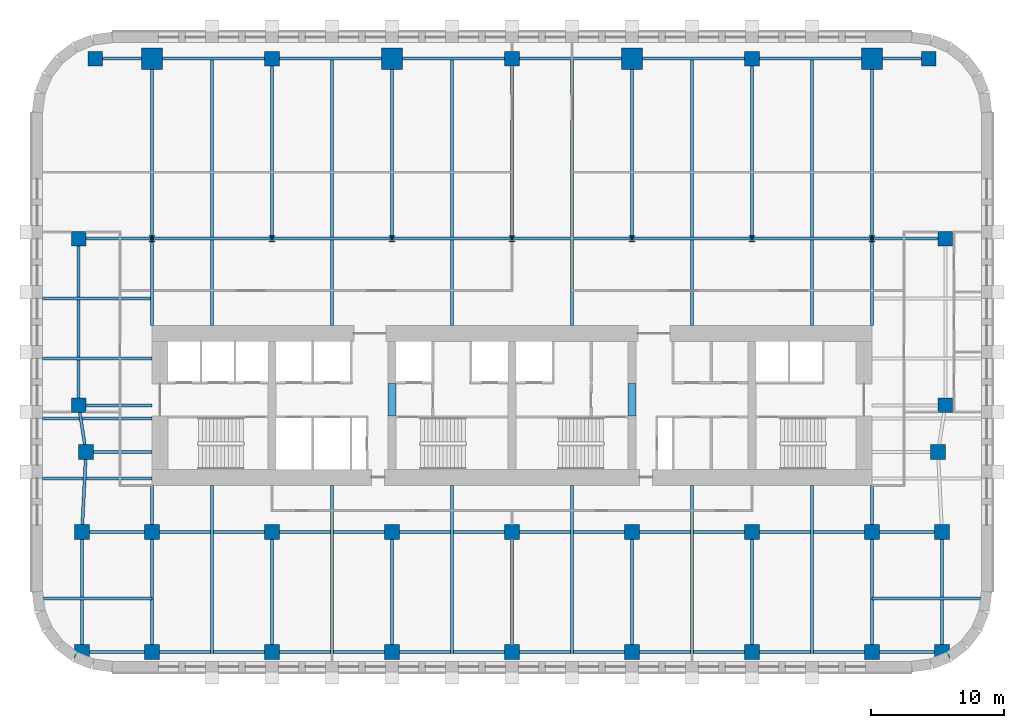
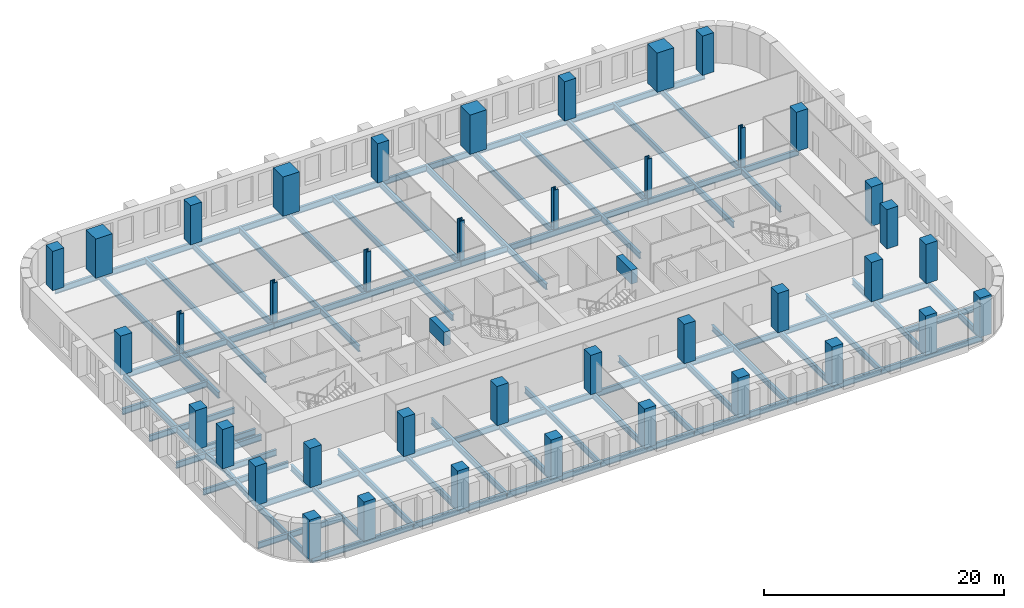
# One storey, part 1 of 11: 59 beams, 40 columns.
"""IFC4 building model written with IfcOpenShell, lengths in metres."""

from ifc_helpers import new_model, si_unit, direction, frame, origin, origin_2d, place, context, subcontext, project, spatial, rectangle, i_section, extrude, material, material_profile, profile_set, type_object, element, save


model = new_model("IFC4")

# Units and contexts
model_context = context("Model", 3, precision=1e-05, world=origin(), true_north=direction((0.0, 1.0)))
body_context = subcontext(model_context, "Body", "Model", "MODEL_VIEW")
ifc_project = project(units=[si_unit("LENGTHUNIT", "METRE"), si_unit("AREAUNIT", "SQUARE_METRE"), si_unit("VOLUMEUNIT", "CUBIC_METRE"), si_unit("PLANEANGLEUNIT", "RADIAN"), si_unit("MASSUNIT", "GRAM", prefix="KILO")], contexts=[model_context])

# Site, building, storey
site_placement = place(None, origin())
site = spatial("IfcSite", under=ifc_project, at=site_placement, CompositionType="ELEMENT")
building_placement = place(site_placement, origin())
building = spatial("IfcBuilding", under=site, at=building_placement, Name="Zellij Exchange Tower", CompositionType="ELEMENT")
storey_placement = place(building_placement, frame((0.0, 0.0, 80.5)))
storey = spatial("IfcBuildingStorey", under=building, at=storey_placement, Name="L16", CompositionType="ELEMENT", Elevation=80.5)

# Columns
ifc_material_1 = material(Name="Concrete C70/85", Category="concrete")
ifc_material_profile_1 = material_profile(ifc_material_1, rectangle(XDim=1.10009765625, YDim=1.10009765625, at=origin_2d()), Name="STR-COLUMN RC1100x1100 C70/85")
ifc_profile_set_1 = profile_set([ifc_material_profile_1], Name="Concrete C70/85")
column_type_1 = type_object("IfcColumnType", Name="STR-COLUMN RC1100x1100 C70/85", PredefinedType="COLUMN", material=ifc_profile_set_1)
for number, where, z_axis, x_axis, name in (
    (1, (-32.25, -26.5, 0.0), (0.0, 0.0, 1.0), (1.0, 0.0, 0.0), "C11"),
    (2, (-27.0, -26.5, 0.0), (0.0, 0.0, 1.0), (1.0, 0.0, 0.0), "C11"),
    (3, (-18.0, -26.5, 0.0), (0.0, 0.0, 1.0), (1.0, 0.0, 0.0), "C11"),
    (4, (-9.0, -26.5, 0.0), (0.0, 0.0, 1.0), (1.0, 0.0, 0.0), "C11"),
    (5, (0.0, -26.5, 0.0), (0.0, 0.0, 1.0), (1.0, 0.0, 0.0), "C11"),
    (6, (9.0, -26.5, 0.0), (0.0, 0.0, 1.0), (1.0, 0.0, 0.0), "C11"),
    (7, (18.0, -26.5, 0.0), (0.0, 0.0, 1.0), (1.0, 0.0, 0.0), "C11"),
    (8, (27.0, -26.5, 0.0), (0.0, 0.0, 1.0), (1.0, 0.0, 0.0), "C11"),
    (9, (32.25, -26.5, 0.0), (0.0, 0.0, 1.0), (1.0, 0.0, 0.0), "C11"),
    (10, (-32.25, -17.5, 0.0), (0.0, 0.0, 1.0), (1.0, 0.0, 0.0), "C11"),
    (11, (-27.0, -17.5, 0.0), (0.0, 0.0, 1.0), (1.0, 0.0, 0.0), "C11"),
    (12, (-18.0, -17.5, 0.0), (0.0, 0.0, 1.0), (1.0, 0.0, 0.0), "C11"),
    (13, (-9.0, -17.5, 0.0), (0.0, 0.0, 1.0), (1.0, 0.0, 0.0), "C11"),
    (14, (0.0, -17.5, 0.0), (0.0, 0.0, 1.0), (1.0, 0.0, 0.0), "C11"),
    (15, (9.0, -17.5, 0.0), (0.0, 0.0, 1.0), (1.0, 0.0, 0.0), "C11"),
    (16, (18.0, -17.5, 0.0), (0.0, 0.0, 1.0), (1.0, 0.0, 0.0), "C11"),
    (17, (27.0, -17.5, 0.0), (0.0, 0.0, 1.0), (1.0, 0.0, 0.0), "C11"),
    (18, (32.25, -17.5, 0.0), (0.0, 0.0, 1.0), (1.0, 0.0, 0.0), "C11"),
    (19, (-31.949951171875, -11.5, 0.0), (0.0, 0.0, 1.0), (1.0, 0.0, 0.0), "C11"),
    (20, (31.949951171875, -11.5, 0.0), (0.0, 0.0, 1.0), (1.0, 0.0, 0.0), "C11"),
    (21, (-32.5, -8.0, 0.0), (0.0, 0.0, 1.0), (1.0, 0.0, 0.0), "C11"),
    (22, (32.5, -8.0, 0.0), (0.0, 0.0, 1.0), (1.0, 0.0, 0.0), "C11"),
    (23, (-32.5, 4.5, 0.0), (0.0, 0.0, 1.0), (1.0, 0.0, 0.0), "C11"),
    (24, (32.5, 4.5, 0.0), (0.0, 0.0, 1.0), (1.0, 0.0, 0.0), "C11"),
    (25, (-31.25, 18.0, 0.0), (0.0, 0.0, 1.0), (1.0, 0.0, 0.0), "C11"),
    (26, (-18.0, 18.0, 0.0), (0.0, 0.0, 1.0), (1.0, 0.0, 0.0), "C11"),
    (27, (0.0, 18.0, 0.0), (0.0, 0.0, 1.0), (1.0, 0.0, 0.0), "C11"),
    (28, (18.0, 18.0, 0.0), (0.0, 0.0, 1.0), (1.0, 0.0, 0.0), "C11"),
    (29, (31.25, 18.0, 0.0), (0.0, 0.0, 1.0), (1.0, 0.0, 0.0), "C11"),
):
    element("IfcColumn", number, at=place(storey_placement, frame(where, z_axis=z_axis, x_axis=x_axis)), inside=storey, type_object=column_type_1, Name=name, PredefinedType="COLUMN", context=body_context, shape_type="SweptSolid", body=[
        extrude(rectangle(XDim=1.10009765625, YDim=1.10009765625, at=origin_2d()), origin(), (0.0, 0.0, 1.0), 4.0),
    ])
ifc_material_2 = material(Name="Structural steel ASTM A913 Gr 65", Category="steel")
ifc_material_profile_2 = material_profile(ifc_material_2, i_section(OverallWidth=0.431884765625, OverallDepth=0.497802734375, WebThickness=0.0556640625, FlangeThickness=0.0888671875, at=origin_2d()), Name="W14x500")
ifc_profile_set_2 = profile_set([ifc_material_profile_2], Name="Structural steel ASTM A913 Gr 65")
column_type_2 = type_object("IfcColumnType", Name="STR-COLUMN W14x500", PredefinedType="COLUMN", material=ifc_profile_set_2)
for number, where, z_axis, x_axis, name in (
    (30, (-27.0, 4.5, 0.0), (0.0, 0.0, 1.0), (1.0, 0.0, 0.0), "C5"),
    (31, (-18.0, 4.5, 0.0), (0.0, 0.0, 1.0), (1.0, 0.0, 0.0), "C5"),
    (32, (-9.0, 4.5, 0.0), (0.0, 0.0, 1.0), (1.0, 0.0, 0.0), "C5"),
    (33, (0.0, 4.5, 0.0), (0.0, 0.0, 1.0), (1.0, 0.0, 0.0), "C5"),
    (34, (9.0, 4.5, 0.0), (0.0, 0.0, 1.0), (1.0, 0.0, 0.0), "C5"),
    (35, (18.0, 4.5, 0.0), (0.0, 0.0, 1.0), (1.0, 0.0, 0.0), "C5"),
    (36, (27.0, 4.5, 0.0), (0.0, 0.0, 1.0), (1.0, 0.0, 0.0), "C5"),
):
    element("IfcColumn", number, at=place(storey_placement, frame(where, z_axis=z_axis, x_axis=x_axis)), inside=storey, type_object=column_type_2, Name=name, PredefinedType="COLUMN", context=body_context, shape_type="SweptSolid", body=[
        extrude(i_section(OverallWidth=0.431884765625, OverallDepth=0.497802734375, WebThickness=0.0556640625, FlangeThickness=0.0888671875, at=origin_2d()), origin(), (0.0, 0.0, 1.0), 4.0),
    ])
ifc_material_profile_3 = material_profile(ifc_material_1, rectangle(XDim=1.60009765625, YDim=1.60009765625, at=origin_2d()), Name="STR-MEGA COLUMN RC1600x1600 C70/85")
ifc_profile_set_3 = profile_set([ifc_material_profile_3], Name="Concrete C70/85")
column_type_3 = type_object("IfcColumnType", Name="STR-MEGA COLUMN RC1600x1600 C70/85", PredefinedType="COLUMN", material=ifc_profile_set_3)
for number, where, z_axis, x_axis, name in (
    (37, (-27.0, 18.0, 0.0), (0.0, 0.0, 1.0), (1.0, 0.0, 0.0), "MC6"),
    (38, (-9.0, 18.0, 0.0), (0.0, 0.0, 1.0), (1.0, 0.0, 0.0), "MC6"),
    (39, (9.0, 18.0, 0.0), (0.0, 0.0, 1.0), (1.0, 0.0, 0.0), "MC6"),
    (40, (27.0, 18.0, 0.0), (0.0, 0.0, 1.0), (1.0, 0.0, 0.0), "MC6"),
):
    element("IfcColumn", number, at=place(storey_placement, frame(where, z_axis=z_axis, x_axis=x_axis)), inside=storey, type_object=column_type_3, Name=name, PredefinedType="COLUMN", context=body_context, shape_type="SweptSolid", body=[
        extrude(rectangle(XDim=1.60009765625, YDim=1.60009765625, at=origin_2d()), origin(), (0.0, 0.0, 1.0), 4.0),
    ])

# Beams
ifc_material_profile_4 = material_profile(ifc_material_1, rectangle(XDim=0.60009765625, YDim=1.39990234375, at=origin_2d()), Name="CORE-CB 600x1400 C70/85")
ifc_profile_set_4 = profile_set([ifc_material_profile_4], Name="Concrete C70/85")
beam_type_1 = type_object("IfcBeamType", Name="CORE-CB 600x1400 C70/85", PredefinedType="BEAM", material=ifc_profile_set_4)
for number, where, z_axis, x_axis, name in (
    (41, (-9.0, -8.800048828125, 3.10009765625), (0.0, 1.0, 0.0), (-1.0, 0.0, 0.0), "Core coupling beam x -9 L16"),
    (42, (9.0, -8.800048828125, 3.10009765625), (0.0, 1.0, 0.0), (-1.0, 0.0, 0.0), "Core coupling beam x 9 L16"),
):
    element("IfcBeam", number, at=place(storey_placement, frame(where, z_axis=z_axis, x_axis=x_axis)), inside=storey, type_object=beam_type_1, Name=name, PredefinedType="BEAM", context=body_context, shape_type="SweptSolid", body=[
        extrude(rectangle(XDim=0.60009765625, YDim=1.39990234375, at=origin_2d()), origin(), (0.0, 0.0, 1.0), 2.425048828125),
    ])
ifc_material_3 = material(Name="Structural steel ASTM A992 Gr 50", Category="steel")
ifc_material_profile_5 = material_profile(ifc_material_3, i_section(OverallWidth=0.227783203125, OverallDepth=0.60205078125, WebThickness=0.010498046875, FlangeThickness=0.014892578125, at=origin_2d()), Name="W24x68")
ifc_profile_set_5 = profile_set([ifc_material_profile_5], Name="Structural steel ASTM A992 Gr 50")
beam_type_2 = type_object("IfcBeamType", Name="STR-BEAM W24x68", PredefinedType="BEAM", material=ifc_profile_set_5)
beam_1_placement = place(storey_placement, frame((-22.5, -26.614501953125, -0.5009765625), z_axis=(0.0, 1.0, 0.0), x_axis=(-1.0, 0.0, 0.0)))
element("IfcBeam", 43, at=beam_1_placement, inside=storey, type_object=beam_type_2, Name="B5", PredefinedType="BEAM", context=body_context, shape_type="SweptSolid", body=[
    extrude(i_section(OverallWidth=0.227783203125, OverallDepth=0.60205078125, WebThickness=0.010498046875, FlangeThickness=0.014892578125, at=origin_2d()), origin(), (0.0, 0.0, 1.0), 12.614501953125),
])
beam_2_placement = place(storey_placement, frame((-22.5, -2.0, -0.5009765625), z_axis=(0.0, 1.0, 0.0), x_axis=(-1.0, 0.0, 0.0)))
element("IfcBeam", 44, at=beam_2_placement, inside=storey, type_object=beam_type_2, Name="B5", PredefinedType="BEAM", context=body_context, shape_type="SweptSolid", body=[
    extrude(i_section(OverallWidth=0.227783203125, OverallDepth=0.60205078125, WebThickness=0.010498046875, FlangeThickness=0.014892578125, at=origin_2d()), origin(), (0.0, 0.0, 1.0), 20.114501953125),
])
beam_3_placement = place(storey_placement, frame((-13.5, -26.614501953125, -0.5009765625), z_axis=(0.0, 1.0, 0.0), x_axis=(-1.0, 0.0, 0.0)))
element("IfcBeam", 45, at=beam_3_placement, inside=storey, type_object=beam_type_2, Name="B5", PredefinedType="BEAM", context=body_context, shape_type="SweptSolid", body=[
    extrude(i_section(OverallWidth=0.227783203125, OverallDepth=0.60205078125, WebThickness=0.010498046875, FlangeThickness=0.014892578125, at=origin_2d()), origin(), (0.0, 0.0, 1.0), 12.614501953125),
])
beam_4_placement = place(storey_placement, frame((-13.5, -2.0, -0.5009765625), z_axis=(0.0, 1.0, 0.0), x_axis=(-1.0, 0.0, 0.0)))
element("IfcBeam", 46, at=beam_4_placement, inside=storey, type_object=beam_type_2, Name="B5", PredefinedType="BEAM", context=body_context, shape_type="SweptSolid", body=[
    extrude(i_section(OverallWidth=0.227783203125, OverallDepth=0.60205078125, WebThickness=0.010498046875, FlangeThickness=0.014892578125, at=origin_2d()), origin(), (0.0, 0.0, 1.0), 20.114501953125),
])
beam_5_placement = place(storey_placement, frame((-4.5, -26.614501953125, -0.5009765625), z_axis=(0.0, 1.0, 0.0), x_axis=(-1.0, 0.0, 0.0)))
element("IfcBeam", 47, at=beam_5_placement, inside=storey, type_object=beam_type_2, Name="B5", PredefinedType="BEAM", context=body_context, shape_type="SweptSolid", body=[
    extrude(i_section(OverallWidth=0.227783203125, OverallDepth=0.60205078125, WebThickness=0.010498046875, FlangeThickness=0.014892578125, at=origin_2d()), origin(), (0.0, 0.0, 1.0), 12.614501953125),
])
beam_6_placement = place(storey_placement, frame((-4.5, -2.0, -0.5009765625), z_axis=(0.0, 1.0, 0.0), x_axis=(-1.0, 0.0, 0.0)))
element("IfcBeam", 48, at=beam_6_placement, inside=storey, type_object=beam_type_2, Name="B5", PredefinedType="BEAM", context=body_context, shape_type="SweptSolid", body=[
    extrude(i_section(OverallWidth=0.227783203125, OverallDepth=0.60205078125, WebThickness=0.010498046875, FlangeThickness=0.014892578125, at=origin_2d()), origin(), (0.0, 0.0, 1.0), 20.114501953125),
])
beam_7_placement = place(storey_placement, frame((4.5, -26.614501953125, -0.5009765625), z_axis=(0.0, 1.0, 0.0), x_axis=(-1.0, 0.0, 0.0)))
element("IfcBeam", 49, at=beam_7_placement, inside=storey, type_object=beam_type_2, Name="B5", PredefinedType="BEAM", context=body_context, shape_type="SweptSolid", body=[
    extrude(i_section(OverallWidth=0.227783203125, OverallDepth=0.60205078125, WebThickness=0.010498046875, FlangeThickness=0.014892578125, at=origin_2d()), origin(), (0.0, 0.0, 1.0), 12.614501953125),
])
beam_8_placement = place(storey_placement, frame((4.5, -2.0, -0.5009765625), z_axis=(0.0, 1.0, 0.0), x_axis=(-1.0, 0.0, 0.0)))
element("IfcBeam", 50, at=beam_8_placement, inside=storey, type_object=beam_type_2, Name="B5", PredefinedType="BEAM", context=body_context, shape_type="SweptSolid", body=[
    extrude(i_section(OverallWidth=0.227783203125, OverallDepth=0.60205078125, WebThickness=0.010498046875, FlangeThickness=0.014892578125, at=origin_2d()), origin(), (0.0, 0.0, 1.0), 20.114501953125),
])
beam_9_placement = place(storey_placement, frame((13.5, -26.614501953125, -0.5009765625), z_axis=(0.0, 1.0, 0.0), x_axis=(-1.0, 0.0, 0.0)))
element("IfcBeam", 51, at=beam_9_placement, inside=storey, type_object=beam_type_2, Name="B5", PredefinedType="BEAM", context=body_context, shape_type="SweptSolid", body=[
    extrude(i_section(OverallWidth=0.227783203125, OverallDepth=0.60205078125, WebThickness=0.010498046875, FlangeThickness=0.014892578125, at=origin_2d()), origin(), (0.0, 0.0, 1.0), 12.614501953125),
])
beam_10_placement = place(storey_placement, frame((13.5, -2.0, -0.5009765625), z_axis=(0.0, 1.0, 0.0), x_axis=(-1.0, 0.0, 0.0)))
element("IfcBeam", 52, at=beam_10_placement, inside=storey, type_object=beam_type_2, Name="B5", PredefinedType="BEAM", context=body_context, shape_type="SweptSolid", body=[
    extrude(i_section(OverallWidth=0.227783203125, OverallDepth=0.60205078125, WebThickness=0.010498046875, FlangeThickness=0.014892578125, at=origin_2d()), origin(), (0.0, 0.0, 1.0), 20.114501953125),
])
beam_11_placement = place(storey_placement, frame((22.5, -26.614501953125, -0.5009765625), z_axis=(0.0, 1.0, 0.0), x_axis=(-1.0, 0.0, 0.0)))
element("IfcBeam", 53, at=beam_11_placement, inside=storey, type_object=beam_type_2, Name="B5", PredefinedType="BEAM", context=body_context, shape_type="SweptSolid", body=[
    extrude(i_section(OverallWidth=0.227783203125, OverallDepth=0.60205078125, WebThickness=0.010498046875, FlangeThickness=0.014892578125, at=origin_2d()), origin(), (0.0, 0.0, 1.0), 12.614501953125),
])
beam_12_placement = place(storey_placement, frame((22.5, -2.0, -0.5009765625), z_axis=(0.0, 1.0, 0.0), x_axis=(-1.0, 0.0, 0.0)))
element("IfcBeam", 54, at=beam_12_placement, inside=storey, type_object=beam_type_2, Name="B5", PredefinedType="BEAM", context=body_context, shape_type="SweptSolid", body=[
    extrude(i_section(OverallWidth=0.227783203125, OverallDepth=0.60205078125, WebThickness=0.010498046875, FlangeThickness=0.014892578125, at=origin_2d()), origin(), (0.0, 0.0, 1.0), 20.114501953125),
])
beam_13_placement = place(storey_placement, frame((-35.126953125, -22.5, -0.5009765625), z_axis=(1.0, 0.0, 0.0), x_axis=(0.0, 1.0, 0.0)))
element("IfcBeam", 55, at=beam_13_placement, inside=storey, type_object=beam_type_2, Name="B5", PredefinedType="BEAM", context=body_context, shape_type="SweptSolid", body=[
    extrude(i_section(OverallWidth=0.227783203125, OverallDepth=0.60205078125, WebThickness=0.010498046875, FlangeThickness=0.014892578125, at=origin_2d()), origin(), (0.0, 0.0, 1.0), 8.126953125),
])
for number, where, z_axis, x_axis, name in (
    (56, (-35.199951171875, -13.5, -0.5009765625), (1.0, 0.0, 0.0), (0.0, 1.0, 0.0), "B5"),
    (57, (-35.199951171875, -9.0, -0.5009765625), (1.0, 0.0, 0.0), (0.0, 1.0, 0.0), "B5"),
    (58, (-35.199951171875, -4.5, -0.5009765625), (1.0, 0.0, 0.0), (0.0, 1.0, 0.0), "B5"),
    (59, (-35.199951171875, 0.0, -0.5009765625), (1.0, 0.0, 0.0), (0.0, 1.0, 0.0), "B5"),
):
    element("IfcBeam", number, at=place(storey_placement, frame(where, z_axis=z_axis, x_axis=x_axis)), inside=storey, type_object=beam_type_2, Name=name, PredefinedType="BEAM", context=body_context, shape_type="SweptSolid", body=[
        extrude(i_section(OverallWidth=0.227783203125, OverallDepth=0.60205078125, WebThickness=0.010498046875, FlangeThickness=0.014892578125, at=origin_2d()), origin(), (0.0, 0.0, 1.0), 8.199951171875),
    ])
beam_14_placement = place(storey_placement, frame((27.0, -22.5, -0.5009765625), z_axis=(1.0, 0.0, 0.0), x_axis=(0.0, 1.0, 0.0)))
element("IfcBeam", 60, at=beam_14_placement, inside=storey, type_object=beam_type_2, Name="B5", PredefinedType="BEAM", context=body_context, shape_type="SweptSolid", body=[
    extrude(i_section(OverallWidth=0.227783203125, OverallDepth=0.60205078125, WebThickness=0.010498046875, FlangeThickness=0.014892578125, at=origin_2d()), origin(), (0.0, 0.0, 1.0), 8.126953125),
])
ifc_material_profile_6 = material_profile(ifc_material_3, i_section(OverallWidth=0.22900390625, OverallDepth=0.612060546875, WebThickness=0.011962890625, FlangeThickness=0.01953125, at=origin_2d()), Name="W24x84")
ifc_profile_set_6 = profile_set([ifc_material_profile_6], Name="Structural steel ASTM A992 Gr 50")
beam_type_3 = type_object("IfcBeamType", Name="STR-EDGE GIRDER W24x84", PredefinedType="BEAM", material=ifc_profile_set_6)
beam_15_placement = place(storey_placement, frame((-32.25, -26.5, -0.506103515625), z_axis=(0.0, 1.0, 0.0), x_axis=(-1.0, 0.0, 0.0)))
element("IfcBeam", 61, at=beam_15_placement, inside=storey, type_object=beam_type_3, Name="EB6", PredefinedType="BEAM", context=body_context, shape_type="SweptSolid", body=[
    extrude(i_section(OverallWidth=0.22900390625, OverallDepth=0.612060546875, WebThickness=0.011962890625, FlangeThickness=0.01953125, at=origin_2d()), origin(), (0.0, 0.0, 1.0), 9.0),
])
beam_16_placement = place(storey_placement, frame((-32.25, -17.5, -0.506103515625), z_axis=(0.049945724537, 0.998751933465, 0.0), x_axis=(-0.998751933465, 0.049945724537, 0.0)))
element("IfcBeam", 62, at=beam_16_placement, inside=storey, type_object=beam_type_3, Name="EB6", PredefinedType="BEAM", context=body_context, shape_type="SweptSolid", body=[
    extrude(i_section(OverallWidth=0.22900390625, OverallDepth=0.612060546875, WebThickness=0.011962890625, FlangeThickness=0.01953125, at=origin_2d()), origin(), (0.0, 0.0, 1.0), 6.007568359375),
])
beam_17_placement = place(storey_placement, frame((-31.949951171875, -11.5, -0.506103515625), z_axis=(-0.155251283593, 0.987875011802, 0.0), x_axis=(-0.987875011802, -0.155251283593, 0.0)))
element("IfcBeam", 63, at=beam_17_placement, inside=storey, type_object=beam_type_3, Name="EB6", PredefinedType="BEAM", context=body_context, shape_type="SweptSolid", body=[
    extrude(i_section(OverallWidth=0.22900390625, OverallDepth=0.612060546875, WebThickness=0.011962890625, FlangeThickness=0.01953125, at=origin_2d()), origin(), (0.0, 0.0, 1.0), 3.54296875),
])
beam_18_placement = place(storey_placement, frame((-32.5, -8.0, -0.506103515625), z_axis=(0.0, 1.0, 0.0), x_axis=(-1.0, 0.0, 0.0)))
element("IfcBeam", 64, at=beam_18_placement, inside=storey, type_object=beam_type_3, Name="EB6", PredefinedType="BEAM", context=body_context, shape_type="SweptSolid", body=[
    extrude(i_section(OverallWidth=0.22900390625, OverallDepth=0.612060546875, WebThickness=0.011962890625, FlangeThickness=0.01953125, at=origin_2d()), origin(), (0.0, 0.0, 1.0), 12.5),
])
beam_19_placement = place(storey_placement, frame((32.25, -26.5, -0.506103515625), z_axis=(0.0, 1.0, 0.0), x_axis=(-1.0, 0.0, 0.0)))
element("IfcBeam", 65, at=beam_19_placement, inside=storey, type_object=beam_type_3, Name="EB6", PredefinedType="BEAM", context=body_context, shape_type="SweptSolid", body=[
    extrude(i_section(OverallWidth=0.22900390625, OverallDepth=0.612060546875, WebThickness=0.011962890625, FlangeThickness=0.01953125, at=origin_2d()), origin(), (0.0, 0.0, 1.0), 9.0),
])
ifc_material_profile_7 = material_profile(ifc_material_3, i_section(OverallWidth=0.22900390625, OverallDepth=0.612060546875, WebThickness=0.011962890625, FlangeThickness=0.01953125, at=origin_2d()), Name="W24x84")
ifc_profile_set_7 = profile_set([ifc_material_profile_7], Name="Structural steel ASTM A992 Gr 50")
beam_type_4 = type_object("IfcBeamType", Name="STR-GIRDER W24x84", PredefinedType="BEAM", material=ifc_profile_set_7)
beam_20_placement = place(storey_placement, frame((-32.25, -26.5, -0.506103515625), z_axis=(1.0, 0.0, 0.0), x_axis=(0.0, 1.0, 0.0)))
element("IfcBeam", 66, at=beam_20_placement, inside=storey, type_object=beam_type_4, Name="G4", PredefinedType="BEAM", context=body_context, shape_type="SweptSolid", body=[
    extrude(i_section(OverallWidth=0.22900390625, OverallDepth=0.612060546875, WebThickness=0.011962890625, FlangeThickness=0.01953125, at=origin_2d()), origin(), (0.0, 0.0, 1.0), 14.25),
])
for number, where, z_axis, x_axis, name in (
    (67, (-18.0, -26.5, -0.506103515625), (1.0, 0.0, 0.0), (0.0, 1.0, 0.0), "G4"),
    (68, (0.0, -26.5, -0.506103515625), (1.0, 0.0, 0.0), (0.0, 1.0, 0.0), "G4"),
):
    element("IfcBeam", number, at=place(storey_placement, frame(where, z_axis=z_axis, x_axis=x_axis)), inside=storey, type_object=beam_type_4, Name=name, PredefinedType="BEAM", context=body_context, shape_type="SweptSolid", body=[
        extrude(i_section(OverallWidth=0.22900390625, OverallDepth=0.612060546875, WebThickness=0.011962890625, FlangeThickness=0.01953125, at=origin_2d()), origin(), (0.0, 0.0, 1.0), 18.0),
    ])
for number, where, z_axis, x_axis, name in (
    (69, (18.0, -26.5, -0.506103515625), (1.0, 0.0, 0.0), (0.0, 1.0, 0.0), "G4"),
    (70, (-32.25, -17.5, -0.506103515625), (1.0, 0.0, 0.0), (0.0, 1.0, 0.0), "G4"),
):
    element("IfcBeam", number, at=place(storey_placement, frame(where, z_axis=z_axis, x_axis=x_axis)), inside=storey, type_object=beam_type_4, Name=name, PredefinedType="BEAM", context=body_context, shape_type="SweptSolid", body=[
        extrude(i_section(OverallWidth=0.22900390625, OverallDepth=0.612060546875, WebThickness=0.011962890625, FlangeThickness=0.01953125, at=origin_2d()), origin(), (0.0, 0.0, 1.0), 14.25),
    ])
for number, where, z_axis, x_axis, name in (
    (71, (-18.0, -17.5, -0.506103515625), (1.0, 0.0, 0.0), (0.0, 1.0, 0.0), "G4"),
    (72, (0.0, -17.5, -0.506103515625), (1.0, 0.0, 0.0), (0.0, 1.0, 0.0), "G4"),
):
    element("IfcBeam", number, at=place(storey_placement, frame(where, z_axis=z_axis, x_axis=x_axis)), inside=storey, type_object=beam_type_4, Name=name, PredefinedType="BEAM", context=body_context, shape_type="SweptSolid", body=[
        extrude(i_section(OverallWidth=0.22900390625, OverallDepth=0.612060546875, WebThickness=0.011962890625, FlangeThickness=0.01953125, at=origin_2d()), origin(), (0.0, 0.0, 1.0), 18.0),
    ])
beam_21_placement = place(storey_placement, frame((18.0, -17.5, -0.506103515625), z_axis=(1.0, 0.0, 0.0), x_axis=(0.0, 1.0, 0.0)))
element("IfcBeam", 73, at=beam_21_placement, inside=storey, type_object=beam_type_4, Name="G4", PredefinedType="BEAM", context=body_context, shape_type="SweptSolid", body=[
    extrude(i_section(OverallWidth=0.22900390625, OverallDepth=0.612060546875, WebThickness=0.011962890625, FlangeThickness=0.01953125, at=origin_2d()), origin(), (0.0, 0.0, 1.0), 14.25),
])
beam_22_placement = place(storey_placement, frame((-31.949951171875, -11.5, -0.506103515625), z_axis=(1.0, 0.0, 0.0), x_axis=(0.0, 1.0, 0.0)))
element("IfcBeam", 74, at=beam_22_placement, inside=storey, type_object=beam_type_4, Name="G4", PredefinedType="BEAM", context=body_context, shape_type="SweptSolid", body=[
    extrude(i_section(OverallWidth=0.22900390625, OverallDepth=0.612060546875, WebThickness=0.011962890625, FlangeThickness=0.01953125, at=origin_2d()), origin(), (0.0, 0.0, 1.0), 4.949951171875),
])
beam_23_placement = place(storey_placement, frame((-32.5, -8.0, -0.506103515625), z_axis=(1.0, 0.0, 0.0), x_axis=(0.0, 1.0, 0.0)))
element("IfcBeam", 75, at=beam_23_placement, inside=storey, type_object=beam_type_4, Name="G4", PredefinedType="BEAM", context=body_context, shape_type="SweptSolid", body=[
    extrude(i_section(OverallWidth=0.22900390625, OverallDepth=0.612060546875, WebThickness=0.011962890625, FlangeThickness=0.01953125, at=origin_2d()), origin(), (0.0, 0.0, 1.0), 5.5),
])
beam_24_placement = place(storey_placement, frame((-32.5, 4.5, -0.506103515625), z_axis=(1.0, 0.0, 0.0), x_axis=(0.0, 1.0, 0.0)))
element("IfcBeam", 76, at=beam_24_placement, inside=storey, type_object=beam_type_4, Name="G4", PredefinedType="BEAM", context=body_context, shape_type="SweptSolid", body=[
    extrude(i_section(OverallWidth=0.22900390625, OverallDepth=0.612060546875, WebThickness=0.011962890625, FlangeThickness=0.01953125, at=origin_2d()), origin(), (0.0, 0.0, 1.0), 14.5),
])
for number, where, z_axis, x_axis, name in (
    (77, (-18.0, 4.5, -0.506103515625), (1.0, 0.0, 0.0), (0.0, 1.0, 0.0), "G4"),
    (78, (0.0, 4.5, -0.506103515625), (1.0, 0.0, 0.0), (0.0, 1.0, 0.0), "G4"),
):
    element("IfcBeam", number, at=place(storey_placement, frame(where, z_axis=z_axis, x_axis=x_axis)), inside=storey, type_object=beam_type_4, Name=name, PredefinedType="BEAM", context=body_context, shape_type="SweptSolid", body=[
        extrude(i_section(OverallWidth=0.22900390625, OverallDepth=0.612060546875, WebThickness=0.011962890625, FlangeThickness=0.01953125, at=origin_2d()), origin(), (0.0, 0.0, 1.0), 18.0),
    ])
beam_25_placement = place(storey_placement, frame((18.0, 4.5, -0.506103515625), z_axis=(1.0, 0.0, 0.0), x_axis=(0.0, 1.0, 0.0)))
element("IfcBeam", 79, at=beam_25_placement, inside=storey, type_object=beam_type_4, Name="G4", PredefinedType="BEAM", context=body_context, shape_type="SweptSolid", body=[
    extrude(i_section(OverallWidth=0.22900390625, OverallDepth=0.612060546875, WebThickness=0.011962890625, FlangeThickness=0.01953125, at=origin_2d()), origin(), (0.0, 0.0, 1.0), 14.5),
])
beam_26_placement = place(storey_placement, frame((-31.25, 18.0, -0.506103515625), z_axis=(1.0, 0.0, 0.0), x_axis=(0.0, 1.0, 0.0)))
element("IfcBeam", 80, at=beam_26_placement, inside=storey, type_object=beam_type_4, Name="G4", PredefinedType="BEAM", context=body_context, shape_type="SweptSolid", body=[
    extrude(i_section(OverallWidth=0.22900390625, OverallDepth=0.612060546875, WebThickness=0.011962890625, FlangeThickness=0.01953125, at=origin_2d()), origin(), (0.0, 0.0, 1.0), 13.25),
])
for number, where, z_axis, x_axis, name in (
    (81, (-18.0, 18.0, -0.506103515625), (1.0, 0.0, 0.0), (0.0, 1.0, 0.0), "G4"),
    (82, (0.0, 18.0, -0.506103515625), (1.0, 0.0, 0.0), (0.0, 1.0, 0.0), "G4"),
):
    element("IfcBeam", number, at=place(storey_placement, frame(where, z_axis=z_axis, x_axis=x_axis)), inside=storey, type_object=beam_type_4, Name=name, PredefinedType="BEAM", context=body_context, shape_type="SweptSolid", body=[
        extrude(i_section(OverallWidth=0.22900390625, OverallDepth=0.612060546875, WebThickness=0.011962890625, FlangeThickness=0.01953125, at=origin_2d()), origin(), (0.0, 0.0, 1.0), 18.0),
    ])
beam_27_placement = place(storey_placement, frame((18.0, 18.0, -0.506103515625), z_axis=(1.0, 0.0, 0.0), x_axis=(0.0, 1.0, 0.0)))
element("IfcBeam", 83, at=beam_27_placement, inside=storey, type_object=beam_type_4, Name="G4", PredefinedType="BEAM", context=body_context, shape_type="SweptSolid", body=[
    extrude(i_section(OverallWidth=0.22900390625, OverallDepth=0.612060546875, WebThickness=0.011962890625, FlangeThickness=0.01953125, at=origin_2d()), origin(), (0.0, 0.0, 1.0), 13.25),
])
beam_28_placement = place(storey_placement, frame((-27.0, -26.5, -0.506103515625), z_axis=(0.0, 1.0, 0.0), x_axis=(-1.0, 0.0, 0.0)))
element("IfcBeam", 84, at=beam_28_placement, inside=storey, type_object=beam_type_4, Name="G4", PredefinedType="BEAM", context=body_context, shape_type="SweptSolid", body=[
    extrude(i_section(OverallWidth=0.22900390625, OverallDepth=0.612060546875, WebThickness=0.011962890625, FlangeThickness=0.01953125, at=origin_2d()), origin(), (0.0, 0.0, 1.0), 12.5),
])
beam_29_placement = place(storey_placement, frame((-27.0, -2.0, -0.506103515625), z_axis=(0.0, 1.0, 0.0), x_axis=(-1.0, 0.0, 0.0)))
element("IfcBeam", 85, at=beam_29_placement, inside=storey, type_object=beam_type_4, Name="G4", PredefinedType="BEAM", context=body_context, shape_type="SweptSolid", body=[
    extrude(i_section(OverallWidth=0.22900390625, OverallDepth=0.612060546875, WebThickness=0.011962890625, FlangeThickness=0.01953125, at=origin_2d()), origin(), (0.0, 0.0, 1.0), 6.5),
])
beam_30_placement = place(storey_placement, frame((-27.0, 4.5, -0.506103515625), z_axis=(0.0, 1.0, 0.0), x_axis=(-1.0, 0.0, 0.0)))
element("IfcBeam", 86, at=beam_30_placement, inside=storey, type_object=beam_type_4, Name="G4", PredefinedType="BEAM", context=body_context, shape_type="SweptSolid", body=[
    extrude(i_section(OverallWidth=0.22900390625, OverallDepth=0.612060546875, WebThickness=0.011962890625, FlangeThickness=0.01953125, at=origin_2d()), origin(), (0.0, 0.0, 1.0), 13.5),
])
beam_31_placement = place(storey_placement, frame((-18.0, -26.5, -0.506103515625), z_axis=(0.0, 1.0, 0.0), x_axis=(-1.0, 0.0, 0.0)))
element("IfcBeam", 87, at=beam_31_placement, inside=storey, type_object=beam_type_4, Name="G4", PredefinedType="BEAM", context=body_context, shape_type="SweptSolid", body=[
    extrude(i_section(OverallWidth=0.22900390625, OverallDepth=0.612060546875, WebThickness=0.011962890625, FlangeThickness=0.01953125, at=origin_2d()), origin(), (0.0, 0.0, 1.0), 9.0),
])
beam_32_placement = place(storey_placement, frame((-18.0, 4.5, -0.506103515625), z_axis=(0.0, 1.0, 0.0), x_axis=(-1.0, 0.0, 0.0)))
element("IfcBeam", 88, at=beam_32_placement, inside=storey, type_object=beam_type_4, Name="G4", PredefinedType="BEAM", context=body_context, shape_type="SweptSolid", body=[
    extrude(i_section(OverallWidth=0.22900390625, OverallDepth=0.612060546875, WebThickness=0.011962890625, FlangeThickness=0.01953125, at=origin_2d()), origin(), (0.0, 0.0, 1.0), 13.5),
])
beam_33_placement = place(storey_placement, frame((-9.0, -26.5, -0.506103515625), z_axis=(0.0, 1.0, 0.0), x_axis=(-1.0, 0.0, 0.0)))
element("IfcBeam", 89, at=beam_33_placement, inside=storey, type_object=beam_type_4, Name="G4", PredefinedType="BEAM", context=body_context, shape_type="SweptSolid", body=[
    extrude(i_section(OverallWidth=0.22900390625, OverallDepth=0.612060546875, WebThickness=0.011962890625, FlangeThickness=0.01953125, at=origin_2d()), origin(), (0.0, 0.0, 1.0), 9.0),
])
beam_34_placement = place(storey_placement, frame((-9.0, 4.5, -0.506103515625), z_axis=(0.0, 1.0, 0.0), x_axis=(-1.0, 0.0, 0.0)))
element("IfcBeam", 90, at=beam_34_placement, inside=storey, type_object=beam_type_4, Name="G4", PredefinedType="BEAM", context=body_context, shape_type="SweptSolid", body=[
    extrude(i_section(OverallWidth=0.22900390625, OverallDepth=0.612060546875, WebThickness=0.011962890625, FlangeThickness=0.01953125, at=origin_2d()), origin(), (0.0, 0.0, 1.0), 13.5),
])
beam_35_placement = place(storey_placement, frame((0.0, -26.5, -0.506103515625), z_axis=(0.0, 1.0, 0.0), x_axis=(-1.0, 0.0, 0.0)))
element("IfcBeam", 91, at=beam_35_placement, inside=storey, type_object=beam_type_4, Name="G4", PredefinedType="BEAM", context=body_context, shape_type="SweptSolid", body=[
    extrude(i_section(OverallWidth=0.22900390625, OverallDepth=0.612060546875, WebThickness=0.011962890625, FlangeThickness=0.01953125, at=origin_2d()), origin(), (0.0, 0.0, 1.0), 9.0),
])
beam_36_placement = place(storey_placement, frame((0.0, 4.5, -0.506103515625), z_axis=(0.0, 1.0, 0.0), x_axis=(-1.0, 0.0, 0.0)))
element("IfcBeam", 92, at=beam_36_placement, inside=storey, type_object=beam_type_4, Name="G4", PredefinedType="BEAM", context=body_context, shape_type="SweptSolid", body=[
    extrude(i_section(OverallWidth=0.22900390625, OverallDepth=0.612060546875, WebThickness=0.011962890625, FlangeThickness=0.01953125, at=origin_2d()), origin(), (0.0, 0.0, 1.0), 13.5),
])
beam_37_placement = place(storey_placement, frame((9.0, -26.5, -0.506103515625), z_axis=(0.0, 1.0, 0.0), x_axis=(-1.0, 0.0, 0.0)))
element("IfcBeam", 93, at=beam_37_placement, inside=storey, type_object=beam_type_4, Name="G4", PredefinedType="BEAM", context=body_context, shape_type="SweptSolid", body=[
    extrude(i_section(OverallWidth=0.22900390625, OverallDepth=0.612060546875, WebThickness=0.011962890625, FlangeThickness=0.01953125, at=origin_2d()), origin(), (0.0, 0.0, 1.0), 9.0),
])
beam_38_placement = place(storey_placement, frame((9.0, 4.5, -0.506103515625), z_axis=(0.0, 1.0, 0.0), x_axis=(-1.0, 0.0, 0.0)))
element("IfcBeam", 94, at=beam_38_placement, inside=storey, type_object=beam_type_4, Name="G4", PredefinedType="BEAM", context=body_context, shape_type="SweptSolid", body=[
    extrude(i_section(OverallWidth=0.22900390625, OverallDepth=0.612060546875, WebThickness=0.011962890625, FlangeThickness=0.01953125, at=origin_2d()), origin(), (0.0, 0.0, 1.0), 13.5),
])
beam_39_placement = place(storey_placement, frame((18.0, -26.5, -0.506103515625), z_axis=(0.0, 1.0, 0.0), x_axis=(-1.0, 0.0, 0.0)))
element("IfcBeam", 95, at=beam_39_placement, inside=storey, type_object=beam_type_4, Name="G4", PredefinedType="BEAM", context=body_context, shape_type="SweptSolid", body=[
    extrude(i_section(OverallWidth=0.22900390625, OverallDepth=0.612060546875, WebThickness=0.011962890625, FlangeThickness=0.01953125, at=origin_2d()), origin(), (0.0, 0.0, 1.0), 9.0),
])
beam_40_placement = place(storey_placement, frame((18.0, 4.5, -0.506103515625), z_axis=(0.0, 1.0, 0.0), x_axis=(-1.0, 0.0, 0.0)))
element("IfcBeam", 96, at=beam_40_placement, inside=storey, type_object=beam_type_4, Name="G4", PredefinedType="BEAM", context=body_context, shape_type="SweptSolid", body=[
    extrude(i_section(OverallWidth=0.22900390625, OverallDepth=0.612060546875, WebThickness=0.011962890625, FlangeThickness=0.01953125, at=origin_2d()), origin(), (0.0, 0.0, 1.0), 13.5),
])
beam_41_placement = place(storey_placement, frame((27.0, -26.5, -0.506103515625), z_axis=(0.0, 1.0, 0.0), x_axis=(-1.0, 0.0, 0.0)))
element("IfcBeam", 97, at=beam_41_placement, inside=storey, type_object=beam_type_4, Name="G4", PredefinedType="BEAM", context=body_context, shape_type="SweptSolid", body=[
    extrude(i_section(OverallWidth=0.22900390625, OverallDepth=0.612060546875, WebThickness=0.011962890625, FlangeThickness=0.01953125, at=origin_2d()), origin(), (0.0, 0.0, 1.0), 12.5),
])
beam_42_placement = place(storey_placement, frame((27.0, -2.0, -0.506103515625), z_axis=(0.0, 1.0, 0.0), x_axis=(-1.0, 0.0, 0.0)))
element("IfcBeam", 98, at=beam_42_placement, inside=storey, type_object=beam_type_4, Name="G4", PredefinedType="BEAM", context=body_context, shape_type="SweptSolid", body=[
    extrude(i_section(OverallWidth=0.22900390625, OverallDepth=0.612060546875, WebThickness=0.011962890625, FlangeThickness=0.01953125, at=origin_2d()), origin(), (0.0, 0.0, 1.0), 6.5),
])
beam_43_placement = place(storey_placement, frame((27.0, 4.5, -0.506103515625), z_axis=(0.0, 1.0, 0.0), x_axis=(-1.0, 0.0, 0.0)))
element("IfcBeam", 99, at=beam_43_placement, inside=storey, type_object=beam_type_4, Name="G4", PredefinedType="BEAM", context=body_context, shape_type="SweptSolid", body=[
    extrude(i_section(OverallWidth=0.22900390625, OverallDepth=0.612060546875, WebThickness=0.011962890625, FlangeThickness=0.01953125, at=origin_2d()), origin(), (0.0, 0.0, 1.0), 13.5),
])

save(model, "model.ifc")
